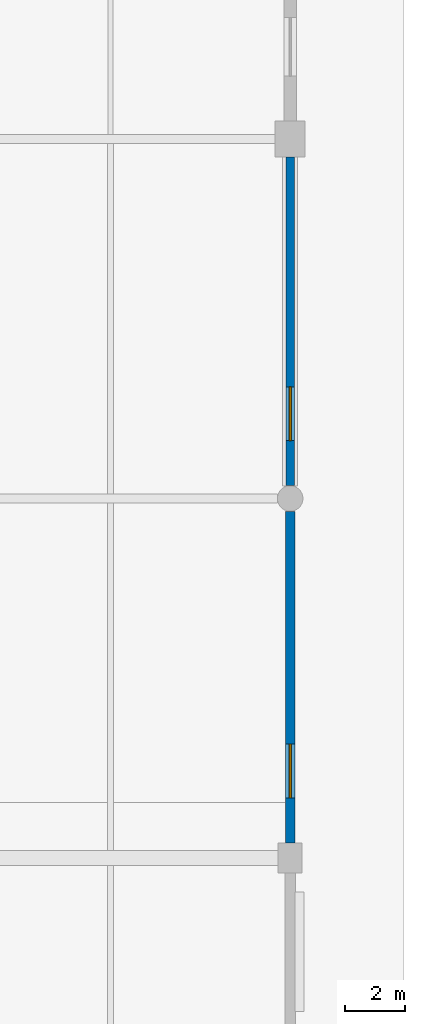
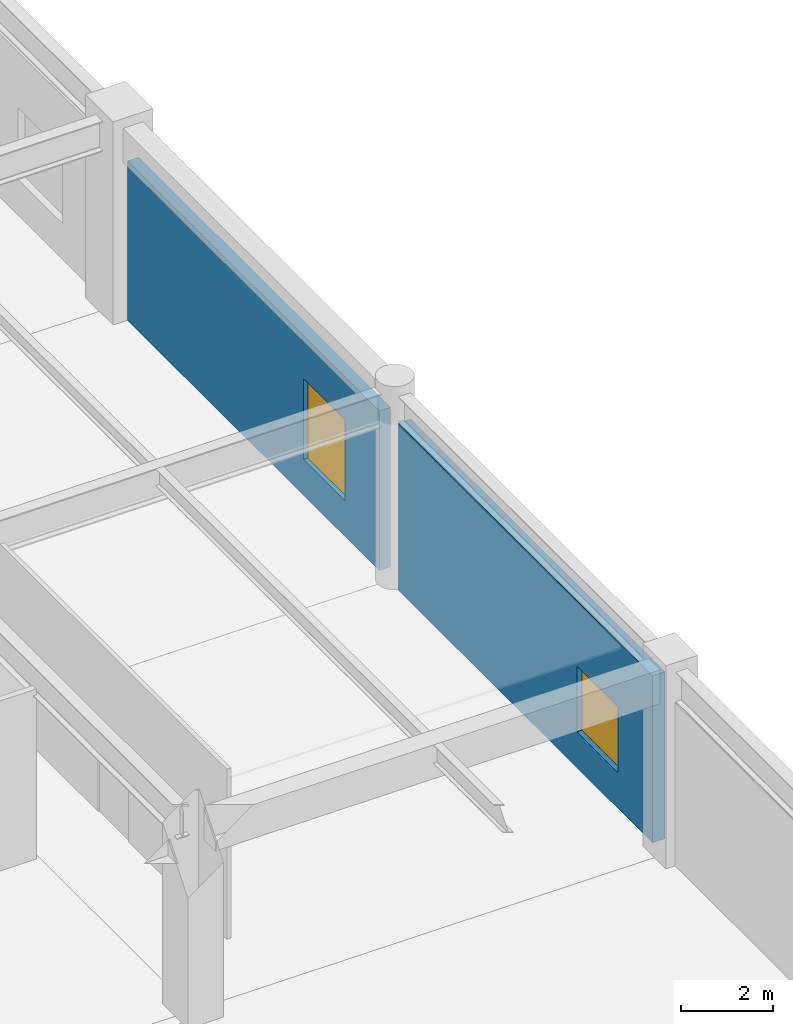
# One storey, part 27 of 69: 2 walls, 2 windows, 2 openings.
"""IFC4 building model written with IfcOpenShell, lengths in metres."""

from ifc_helpers import new_model, si_unit, direction, frame, frame_2d, origin, place, context, subcontext, project, spatial, rectangle, extrude, material, layer, layer_set, type_object, element, fill, save


model = new_model("IFC4")

# Units and contexts
model_context = context("Model", 3, precision=1e-05, world=origin(), true_north=direction((0.0, 1.0)))
body_context = subcontext(model_context, "Body", "Model", "MODEL_VIEW")
ifc_project = project(units=[si_unit("LENGTHUNIT", "METRE"), si_unit("AREAUNIT", "SQUARE_METRE"), si_unit("VOLUMEUNIT", "CUBIC_METRE"), si_unit("PLANEANGLEUNIT", "RADIAN"), si_unit("MASSUNIT", "GRAM", prefix="KILO")], contexts=[model_context])

# Site, building, storey
site_placement = place(None, origin())
site = spatial("IfcSite", under=ifc_project, at=site_placement, CompositionType="ELEMENT")
building_placement = place(site_placement, origin())
building = spatial("IfcBuilding", under=site, at=building_placement, Name="Kazenohara Klinker Stadium", CompositionType="ELEMENT")
storey_placement = place(building_placement, origin())
storey = spatial("IfcBuildingStorey", under=building, at=storey_placement, Name="L00", CompositionType="ELEMENT", Elevation=0.0)

# Wall, opening, window
ifc_material_1 = material(Name="Clinker brick masonry", Category="masonry")
ifc_layer_1 = layer(ifc_material_1, 0.280029296875)
ifc_layer_set_1 = layer_set([ifc_layer_1], Name="Clinker brick masonry")
wall_type_1 = type_object("IfcWallType", Name="WAL-EXT-CB280", PredefinedType="SOLIDWALL", material=ifc_layer_set_1)
wall_1_placement = place(storey_placement, frame((224.0, 108.428955078125, 0.0), z_axis=(0.0, 0.0, 1.0), x_axis=(0.0, 1.0, 0.0)))
wall_1 = element("IfcWall", 1, at=wall_1_placement, inside=storey, type_object=wall_type_1, Name="Clinker brick cavity wall EW06 L00 Y18-9", PredefinedType="SOLIDWALL", context=body_context, shape_type="SweptSolid", body=[
    extrude(rectangle(XDim=10.967041015625, YDim=0.280029296875, at=frame_2d((5.4833984375, 0.0))), origin(), (0.0, 0.0, 1.0), 4.239990234375),
])
opening_1_placement = place(wall_1_placement, frame((1.5, 0.0, 0.949951171875)))
opening_1 = element("IfcOpeningElement", 2, at=opening_1_placement, cuts=wall_1, Name="Opening W14", PredefinedType="OPENING", context=body_context, shape_type="SweptSolid", body=[
    extrude(rectangle(XDim=1.800048828125, YDim=2.14990234375, at=frame_2d((0.89990234375, 1.074951171875))), frame((0.0, 0.14990234375, 0.0), z_axis=(0.0, -1.0, 0.0), x_axis=(1.0, 0.0, 0.0)), (0.0, 0.0, 1.0), 0.300048828125),
])
ifc_material_2 = material(Name="Dark bronze aluminium frame and triple glazing", Category="aluminium")
window_type_1 = type_object("IfcWindowType", Name="WIN-AS-14", PartitioningType="SINGLE_PANEL", PredefinedType="WINDOW", material=ifc_material_2)
window_1_placement = place(opening_1_placement, origin())
window_1 = element("IfcWindow", 3, at=window_1_placement, inside=storey, type_object=window_type_1, Name="Horizontal-mullion ladder window W14 L00 Y18-9", OverallHeight=2.14990234375, OverallWidth=1.800048828125, PartitioningType="SINGLE_PANEL", PredefinedType="WINDOW", context=body_context, shape_type="SweptSolid", body=[
    extrude(rectangle(XDim=1.800048828125, YDim=2.14990234375, at=frame_2d((0.89990234375, 1.074951171875))), frame((0.0, 0.030029296875, 0.0), z_axis=(0.0, -1.0, 0.0), x_axis=(1.0, 0.0, 0.0)), (0.0, 0.0, 1.0), 0.06005859375),
])
fill(opening_1, window_1)

ifc_layer_2 = layer(ifc_material_1, 0.31005859375)
ifc_layer_set_2 = layer_set([ifc_layer_2], Name="Clinker brick masonry")
wall_type_2 = type_object("IfcWallType", Name="WAL-EXT-CB310", PredefinedType="SOLIDWALL", material=ifc_layer_set_2)
wall_2_placement = place(storey_placement, frame((224.0, 96.50390625, 0.0), z_axis=(0.0, 0.0, 1.0), x_axis=(0.0, 1.0, 0.0)))
wall_2 = element("IfcWall", 4, at=wall_2_placement, inside=storey, type_object=wall_type_2, Name="Clinker brick cavity wall EW05 L00 Y18-8", PredefinedType="SOLIDWALL", context=body_context, shape_type="SweptSolid", body=[
    extrude(rectangle(XDim=11.067138671875, YDim=0.31005859375, at=frame_2d((5.53369140625, 0.0))), origin(), (0.0, 0.0, 1.0), 4.43994140625),
])
opening_2_placement = place(wall_2_placement, frame((1.5, 0.0, 0.949951171875)))
opening_2 = element("IfcOpeningElement", 5, at=opening_2_placement, cuts=wall_2, Name="Opening W13", PredefinedType="OPENING", context=body_context, shape_type="SweptSolid", body=[
    extrude(rectangle(XDim=1.800048828125, YDim=1.75, at=frame_2d((0.89990234375, 0.875))), frame((0.0, 0.1650390625, 0.0), z_axis=(0.0, -1.0, 0.0), x_axis=(1.0, 0.0, 0.0)), (0.0, 0.0, 1.0), 0.330078125),
])
window_type_2 = type_object("IfcWindowType", Name="WIN-AS-13", PartitioningType="SINGLE_PANEL", PredefinedType="WINDOW", material=ifc_material_2)
window_2_placement = place(opening_2_placement, origin())
window_2 = element("IfcWindow", 6, at=window_2_placement, inside=storey, type_object=window_type_2, Name="Horizontal-mullion ladder window W13 L00 Y18-8", OverallHeight=1.75, OverallWidth=1.800048828125, PartitioningType="SINGLE_PANEL", PredefinedType="WINDOW", context=body_context, shape_type="SweptSolid", body=[
    extrude(rectangle(XDim=1.800048828125, YDim=1.75, at=frame_2d((0.89990234375, 0.875))), frame((0.0, 0.030029296875, 0.0), z_axis=(0.0, -1.0, 0.0), x_axis=(1.0, 0.0, 0.0)), (0.0, 0.0, 1.0), 0.06005859375),
])
fill(opening_2, window_2)

save(model, "model.ifc")
